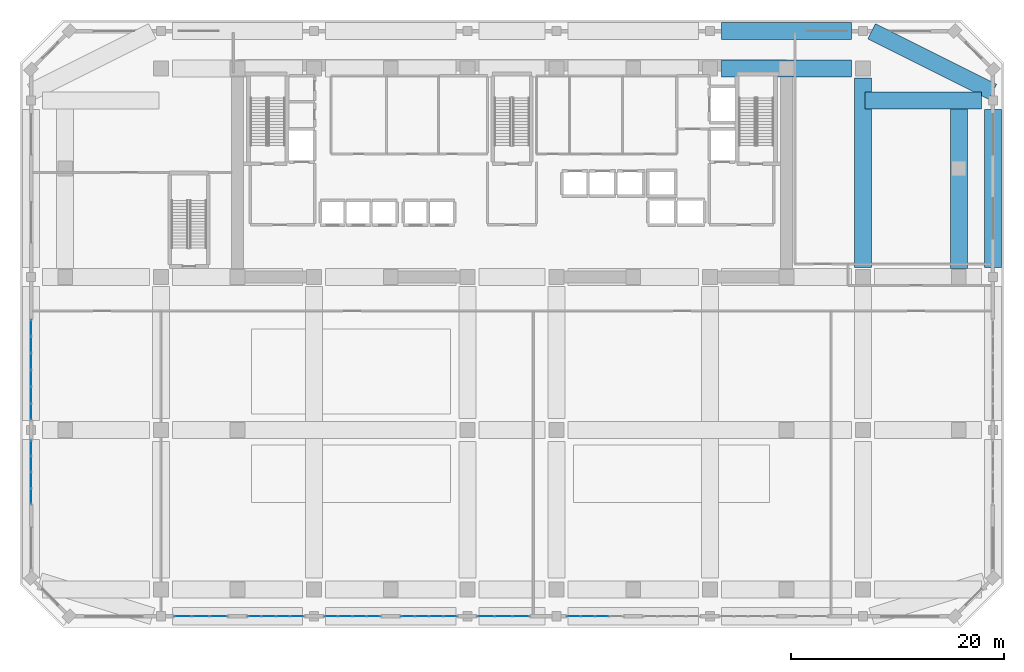
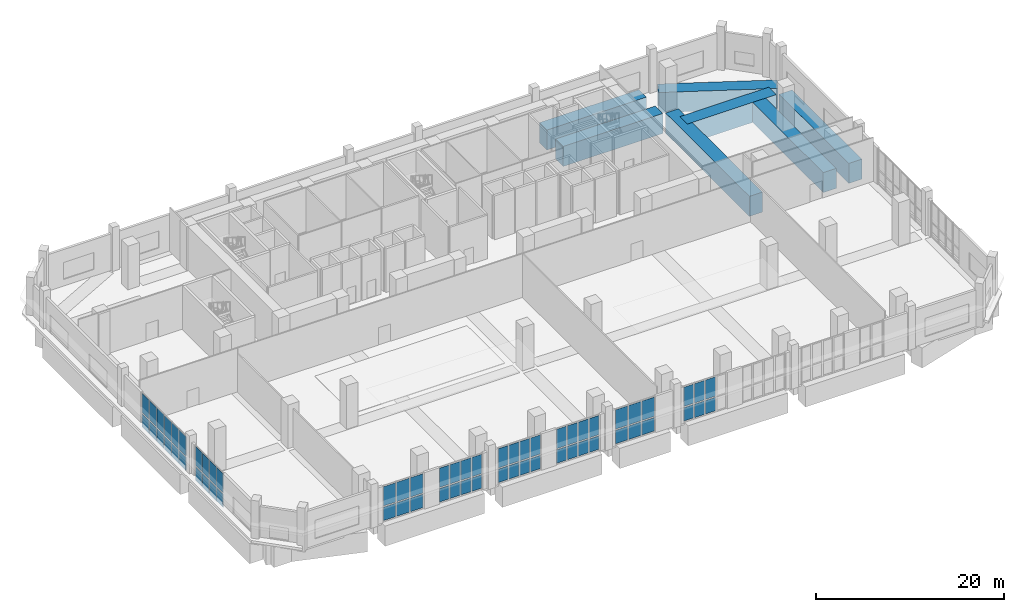
# One storey, part 15 of 25: 62 plates, 7 beams, 8 elements without a shape of their own.
"""IFC4 building model written with IfcOpenShell, lengths in metres."""

from ifc_helpers import new_model, si_unit, direction, frame, origin, origin_2d, place, context, subcontext, project, spatial, rectangle, extrude, material, layer, layer_set, material_profile, profile_set, type_object, element, aggregate, save


model = new_model("IFC4")

# Units and contexts
model_context = context("Model", 3, precision=1e-05, world=origin(), true_north=direction((0.0, 1.0)))
body_context = subcontext(model_context, "Body", "Model", "MODEL_VIEW")
ifc_project = project(units=[si_unit("LENGTHUNIT", "METRE"), si_unit("AREAUNIT", "SQUARE_METRE"), si_unit("VOLUMEUNIT", "CUBIC_METRE"), si_unit("PLANEANGLEUNIT", "RADIAN"), si_unit("MASSUNIT", "GRAM", prefix="KILO")], contexts=[model_context])

# Site, building, storey
site_placement = place(None, origin())
site = spatial("IfcSite", under=ifc_project, at=site_placement, CompositionType="ELEMENT")
building_placement = place(site_placement, origin())
building = spatial("IfcBuilding", under=site, at=building_placement, Name="Kaelvorn Grand Hotel", CompositionType="ELEMENT")
storey_placement = place(building_placement, frame((0.0, 0.0, 8.0)))
storey = spatial("IfcBuildingStorey", under=building, at=storey_placement, Name="L01", CompositionType="ELEMENT", Elevation=8.0)

# Beams
ifc_material_1 = material(Name="Concrete C80/95", Category="concrete")
ifc_material_profile = material_profile(ifc_material_1, rectangle(XDim=1.60009765625, YDim=2.60009765625, at=origin_2d()), Name="RC TG 1600x2600")
ifc_profile_set = profile_set([ifc_material_profile], Name="Concrete C80/95")
beam_type = type_object("IfcBeamType", Name="BM-TG-1600x2600-C80", PredefinedType="USERDEFINED", material=ifc_profile_set)
beam_1_placement = place(storey_placement, frame((75.18505859375, 46.0, -1.300048828125), z_axis=(1.0, 0.0, 0.0), x_axis=(0.0, 1.0, 0.0)))
element("IfcBeam", 1, at=beam_1_placement, inside=storey, type_object=beam_type, Name="L01 Pilotis Transfer Girder TGX-N46E 01", ObjectType="TRANSFER GIRDER", PredefinedType="USERDEFINED", context=body_context, shape_type="SweptSolid", body=[
    extrude(rectangle(XDim=1.60009765625, YDim=2.60009765625, at=origin_2d()), origin(), (0.0, 0.0, 1.0), 10.929931640625),
])
for number, where, z_axis, x_axis, name in (
    (2, (61.68505859375, 49.0, -1.300048828125), (1.0, 0.0, 0.0), (0.0, 1.0, 0.0), "L01 Pilotis Transfer Girder TGX-N49 05"),
    (3, (61.68505859375, 52.5, -1.300048828125), (1.0, 0.0, 0.0), (0.0, 1.0, 0.0), "L01 Pilotis Transfer Girder TGX-N52 05"),
):
    element("IfcBeam", number, at=place(storey_placement, frame(where, z_axis=z_axis, x_axis=x_axis)), inside=storey, type_object=beam_type, Name=name, ObjectType="TRANSFER GIRDER", PredefinedType="USERDEFINED", context=body_context, shape_type="SweptSolid", body=[
        extrude(rectangle(XDim=1.60009765625, YDim=2.60009765625, at=origin_2d()), origin(), (0.0, 0.0, 1.0), 12.22998046875),
    ])
beam_2_placement = place(storey_placement, frame((75.0, 30.284912109375, -1.300048828125), z_axis=(0.0, 1.0, 0.0), x_axis=(-1.0, 0.0, 0.0)))
element("IfcBeam", 4, at=beam_2_placement, inside=storey, type_object=beam_type, Name="L01 Pilotis Transfer Girder TGY-X75 03", ObjectType="TRANSFER GIRDER", PredefinedType="USERDEFINED", context=body_context, shape_type="SweptSolid", body=[
    extrude(rectangle(XDim=1.60009765625, YDim=2.60009765625, at=origin_2d()), origin(), (0.0, 0.0, 1.0), 17.830078125),
])
beam_3_placement = place(storey_placement, frame((87.199951171875, 30.284912109375, -1.300048828125), z_axis=(0.0, 1.0, 0.0), x_axis=(-1.0, 0.0, 0.0)))
element("IfcBeam", 5, at=beam_3_placement, inside=storey, type_object=beam_type, Name="L01 Pilotis Transfer Girder TGY-E87 03", ObjectType="TRANSFER GIRDER", PredefinedType="USERDEFINED", context=body_context, shape_type="SweptSolid", body=[
    extrude(rectangle(XDim=1.60009765625, YDim=2.60009765625, at=origin_2d()), origin(), (0.0, 0.0, 1.0), 14.830078125),
])
beam_4_placement = place(storey_placement, frame((84.0, 30.179931640625, -1.300048828125), z_axis=(0.0, 1.0, 0.0), x_axis=(-1.0, 0.0, 0.0)))
element("IfcBeam", 6, at=beam_4_placement, inside=storey, type_object=beam_type, Name="L01 Wing Transfer Girder TE39", ObjectType="TRANSFER GIRDER", PredefinedType="USERDEFINED", context=body_context, shape_type="SweptSolid", body=[
    extrude(rectangle(XDim=1.60009765625, YDim=2.60009765625, at=origin_2d()), origin(), (0.0, 0.0, 1.0), 15.0400390625),
])
beam_5_placement = place(storey_placement, frame((87.199951171875, 46.800048828125, -1.300048828125), z_axis=(-0.894427191, 0.4472135955, 0.0), x_axis=(-0.4472135955, -0.894427191, 0.0)))
element("IfcBeam", 7, at=beam_5_placement, inside=storey, type_object=beam_type, Name="L01 Chamfer Corner Transfer Girder 3", ObjectType="TRANSFER GIRDER", PredefinedType="USERDEFINED", context=body_context, shape_type="SweptSolid", body=[
    extrude(rectangle(XDim=1.60009765625, YDim=2.60009765625, at=origin_2d()), origin(), (0.0, 0.0, 1.0), 12.745361328125),
])

# Curtain wall, plates
ifc_material_2 = material(Name="Anodised Aluminium", Category="aluminium")
ifc_layer_1 = layer(ifc_material_2, 0.239990234375)
ifc_layer_set_1 = layer_set([ifc_layer_1], Name="Anodised Aluminium")
curtain_wall_type = type_object("IfcCurtainWallType", Name="CW-SYS1", PredefinedType="NOTDEFINED", material=ifc_layer_set_1)
curtain_wall_1_placement = place(storey_placement, origin())
curtain_wall_1 = element("IfcCurtainWall", 8, at=curtain_wall_1_placement, inside=storey, type_object=curtain_wall_type, Name="L01 Unitised Curtain Wall CW1 (CW-L01-S-01)", PredefinedType="NOTDEFINED")
ifc_material_3 = material(Name="Laminated Low-E Glass", Category="glass")
ifc_layer_2 = layer(ifc_material_3, 0.035888671875)
ifc_layer_set_2 = layer_set([ifc_layer_2], Name="Laminated Low-E Glass")
plate_type = type_object("IfcPlateType", Name="CW-SYS1-PAN", PredefinedType="CURTAIN_PANEL", material=ifc_layer_set_2)
plate_1_placement = place(storey_placement, frame((11.066650390625, -2.5, 0.1650390625), z_axis=(0.0, 0.0, 1.0), x_axis=(1.0, 0.0, 0.0)))
plate_1 = element("IfcPlate", 9, at=plate_1_placement, type_object=plate_type, Name="CW1 panel 1.1", PredefinedType="CURTAIN_PANEL", context=body_context, shape_type="SweptSolid", body=[
    extrude(rectangle(XDim=1.5732421875, YDim=0.035888671875, at=origin_2d()), origin(), (0.0, 0.0, 1.0), 1.739013671875),
])
plate_2_placement = place(storey_placement, frame((11.066650390625, -2.5, 2.0693359375), z_axis=(0.0, 0.0, 1.0), x_axis=(1.0, 0.0, 0.0)))
plate_2 = element("IfcPlate", 10, at=plate_2_placement, type_object=plate_type, Name="CW1 panel 1.2", PredefinedType="CURTAIN_PANEL", context=body_context, shape_type="SweptSolid", body=[
    extrude(rectangle(XDim=1.5732421875, YDim=0.035888671875, at=origin_2d()), origin(), (0.0, 0.0, 1.0), 2.495849609375),
])
plate_3_placement = place(storey_placement, frame((12.739990234375, -2.5, 0.1650390625), z_axis=(0.0, 0.0, 1.0), x_axis=(1.0, 0.0, 0.0)))
plate_3 = element("IfcPlate", 11, at=plate_3_placement, type_object=plate_type, Name="CW1 panel 2.1", PredefinedType="CURTAIN_PANEL", context=body_context, shape_type="SweptSolid", body=[
    extrude(rectangle(XDim=1.61328125, YDim=0.035888671875, at=origin_2d()), origin(), (0.0, 0.0, 1.0), 1.739013671875),
])
plate_4_placement = place(storey_placement, frame((12.739990234375, -2.5, 2.0693359375), z_axis=(0.0, 0.0, 1.0), x_axis=(1.0, 0.0, 0.0)))
plate_4 = element("IfcPlate", 12, at=plate_4_placement, type_object=plate_type, Name="CW1 panel 2.2", PredefinedType="CURTAIN_PANEL", context=body_context, shape_type="SweptSolid", body=[
    extrude(rectangle(XDim=1.61328125, YDim=0.035888671875, at=origin_2d()), origin(), (0.0, 0.0, 1.0), 2.495849609375),
])
plate_5_placement = place(storey_placement, frame((14.413330078125, -2.5, 0.1650390625), z_axis=(0.0, 0.0, 1.0), x_axis=(1.0, 0.0, 0.0)))
plate_5 = element("IfcPlate", 13, at=plate_5_placement, type_object=plate_type, Name="CW1 panel 3.1", PredefinedType="CURTAIN_PANEL", context=body_context, shape_type="SweptSolid", body=[
    extrude(rectangle(XDim=1.5732421875, YDim=0.035888671875, at=origin_2d()), origin(), (0.0, 0.0, 1.0), 1.739013671875),
])
plate_6_placement = place(storey_placement, frame((14.413330078125, -2.5, 2.0693359375), z_axis=(0.0, 0.0, 1.0), x_axis=(1.0, 0.0, 0.0)))
plate_6 = element("IfcPlate", 14, at=plate_6_placement, type_object=plate_type, Name="CW1 panel 3.2", PredefinedType="CURTAIN_PANEL", context=body_context, shape_type="SweptSolid", body=[
    extrude(rectangle(XDim=1.5732421875, YDim=0.035888671875, at=origin_2d()), origin(), (0.0, 0.0, 1.0), 2.495849609375),
])
aggregate(curtain_wall_1, [plate_1, plate_2, plate_3, plate_4, plate_5, plate_6])

curtain_wall_2_placement = place(storey_placement, origin())
curtain_wall_2 = element("IfcCurtainWall", 15, at=curtain_wall_2_placement, inside=storey, type_object=curtain_wall_type, Name="L01 Unitised Curtain Wall CW1 (CW-L01-S-02)", PredefinedType="NOTDEFINED")
plate_7_placement = place(storey_placement, frame((17.81005859375, -2.5, 0.1650390625), z_axis=(0.0, 0.0, 1.0), x_axis=(1.0, 0.0, 0.0)))
plate_7 = element("IfcPlate", 16, at=plate_7_placement, type_object=plate_type, Name="CW1 panel 1.1", PredefinedType="CURTAIN_PANEL", context=body_context, shape_type="SweptSolid", body=[
    extrude(rectangle(XDim=1.219970703125, YDim=0.035888671875, at=origin_2d()), origin(), (0.0, 0.0, 1.0), 1.739013671875),
])
plate_8_placement = place(storey_placement, frame((17.81005859375, -2.5, 2.0693359375), z_axis=(0.0, 0.0, 1.0), x_axis=(1.0, 0.0, 0.0)))
plate_8 = element("IfcPlate", 17, at=plate_8_placement, type_object=plate_type, Name="CW1 panel 1.2", PredefinedType="CURTAIN_PANEL", context=body_context, shape_type="SweptSolid", body=[
    extrude(rectangle(XDim=1.219970703125, YDim=0.035888671875, at=origin_2d()), origin(), (0.0, 0.0, 1.0), 2.495849609375),
])
plate_9_placement = place(storey_placement, frame((19.1298828125, -2.5, 0.1650390625), z_axis=(0.0, 0.0, 1.0), x_axis=(1.0, 0.0, 0.0)))
plate_9 = element("IfcPlate", 18, at=plate_9_placement, type_object=plate_type, Name="CW1 panel 2.1", PredefinedType="CURTAIN_PANEL", context=body_context, shape_type="SweptSolid", body=[
    extrude(rectangle(XDim=1.260009765625, YDim=0.035888671875, at=origin_2d()), origin(), (0.0, 0.0, 1.0), 1.739013671875),
])
plate_10_placement = place(storey_placement, frame((19.1298828125, -2.5, 2.0693359375), z_axis=(0.0, 0.0, 1.0), x_axis=(1.0, 0.0, 0.0)))
plate_10 = element("IfcPlate", 19, at=plate_10_placement, type_object=plate_type, Name="CW1 panel 2.2", PredefinedType="CURTAIN_PANEL", context=body_context, shape_type="SweptSolid", body=[
    extrude(rectangle(XDim=1.260009765625, YDim=0.035888671875, at=origin_2d()), origin(), (0.0, 0.0, 1.0), 2.495849609375),
])
plate_11_placement = place(storey_placement, frame((20.469970703125, -2.5, 0.1650390625), z_axis=(0.0, 0.0, 1.0), x_axis=(1.0, 0.0, 0.0)))
plate_11 = element("IfcPlate", 20, at=plate_11_placement, type_object=plate_type, Name="CW1 panel 3.1", PredefinedType="CURTAIN_PANEL", context=body_context, shape_type="SweptSolid", body=[
    extrude(rectangle(XDim=1.260009765625, YDim=0.035888671875, at=origin_2d()), origin(), (0.0, 0.0, 1.0), 1.739013671875),
])
plate_12_placement = place(storey_placement, frame((20.469970703125, -2.5, 2.0693359375), z_axis=(0.0, 0.0, 1.0), x_axis=(1.0, 0.0, 0.0)))
plate_12 = element("IfcPlate", 21, at=plate_12_placement, type_object=plate_type, Name="CW1 panel 3.2", PredefinedType="CURTAIN_PANEL", context=body_context, shape_type="SweptSolid", body=[
    extrude(rectangle(XDim=1.260009765625, YDim=0.035888671875, at=origin_2d()), origin(), (0.0, 0.0, 1.0), 2.495849609375),
])
plate_13_placement = place(storey_placement, frame((21.7900390625, -2.5, 0.1650390625), z_axis=(0.0, 0.0, 1.0), x_axis=(1.0, 0.0, 0.0)))
plate_13 = element("IfcPlate", 22, at=plate_13_placement, type_object=plate_type, Name="CW1 panel 4.1", PredefinedType="CURTAIN_PANEL", context=body_context, shape_type="SweptSolid", body=[
    extrude(rectangle(XDim=1.219970703125, YDim=0.035888671875, at=origin_2d()), origin(), (0.0, 0.0, 1.0), 1.739013671875),
])
plate_14_placement = place(storey_placement, frame((21.7900390625, -2.5, 2.0693359375), z_axis=(0.0, 0.0, 1.0), x_axis=(1.0, 0.0, 0.0)))
plate_14 = element("IfcPlate", 23, at=plate_14_placement, type_object=plate_type, Name="CW1 panel 4.2", PredefinedType="CURTAIN_PANEL", context=body_context, shape_type="SweptSolid", body=[
    extrude(rectangle(XDim=1.219970703125, YDim=0.035888671875, at=origin_2d()), origin(), (0.0, 0.0, 1.0), 2.495849609375),
])
aggregate(curtain_wall_2, [plate_7, plate_8, plate_9, plate_10, plate_11, plate_12, plate_13, plate_14])

curtain_wall_3_placement = place(storey_placement, origin())
curtain_wall_3 = element("IfcCurtainWall", 24, at=curtain_wall_3_placement, inside=storey, type_object=curtain_wall_type, Name="L01 Unitised Curtain Wall CW1 (CW-L01-S-03)", PredefinedType="NOTDEFINED")
plate_15_placement = place(storey_placement, frame((25.010009765625, -2.5, 0.1650390625), z_axis=(0.0, 0.0, 1.0), x_axis=(1.0, 0.0, 0.0)))
plate_15 = element("IfcPlate", 25, at=plate_15_placement, type_object=plate_type, Name="CW1 panel 1.1", PredefinedType="CURTAIN_PANEL", context=body_context, shape_type="SweptSolid", body=[
    extrude(rectangle(XDim=1.219970703125, YDim=0.035888671875, at=origin_2d()), origin(), (0.0, 0.0, 1.0), 1.739013671875),
])
plate_16_placement = place(storey_placement, frame((25.010009765625, -2.5, 2.0693359375), z_axis=(0.0, 0.0, 1.0), x_axis=(1.0, 0.0, 0.0)))
plate_16 = element("IfcPlate", 26, at=plate_16_placement, type_object=plate_type, Name="CW1 panel 1.2", PredefinedType="CURTAIN_PANEL", context=body_context, shape_type="SweptSolid", body=[
    extrude(rectangle(XDim=1.219970703125, YDim=0.035888671875, at=origin_2d()), origin(), (0.0, 0.0, 1.0), 2.495849609375),
])
plate_17_placement = place(storey_placement, frame((26.330078125, -2.5, 0.1650390625), z_axis=(0.0, 0.0, 1.0), x_axis=(1.0, 0.0, 0.0)))
plate_17 = element("IfcPlate", 27, at=plate_17_placement, type_object=plate_type, Name="CW1 panel 2.1", PredefinedType="CURTAIN_PANEL", context=body_context, shape_type="SweptSolid", body=[
    extrude(rectangle(XDim=1.260009765625, YDim=0.035888671875, at=origin_2d()), origin(), (0.0, 0.0, 1.0), 1.739013671875),
])
plate_18_placement = place(storey_placement, frame((26.330078125, -2.5, 2.0693359375), z_axis=(0.0, 0.0, 1.0), x_axis=(1.0, 0.0, 0.0)))
plate_18 = element("IfcPlate", 28, at=plate_18_placement, type_object=plate_type, Name="CW1 panel 2.2", PredefinedType="CURTAIN_PANEL", context=body_context, shape_type="SweptSolid", body=[
    extrude(rectangle(XDim=1.260009765625, YDim=0.035888671875, at=origin_2d()), origin(), (0.0, 0.0, 1.0), 2.495849609375),
])
plate_19_placement = place(storey_placement, frame((27.669921875, -2.5, 0.1650390625), z_axis=(0.0, 0.0, 1.0), x_axis=(1.0, 0.0, 0.0)))
plate_19 = element("IfcPlate", 29, at=plate_19_placement, type_object=plate_type, Name="CW1 panel 3.1", PredefinedType="CURTAIN_PANEL", context=body_context, shape_type="SweptSolid", body=[
    extrude(rectangle(XDim=1.260009765625, YDim=0.035888671875, at=origin_2d()), origin(), (0.0, 0.0, 1.0), 1.739013671875),
])
plate_20_placement = place(storey_placement, frame((27.669921875, -2.5, 2.0693359375), z_axis=(0.0, 0.0, 1.0), x_axis=(1.0, 0.0, 0.0)))
plate_20 = element("IfcPlate", 30, at=plate_20_placement, type_object=plate_type, Name="CW1 panel 3.2", PredefinedType="CURTAIN_PANEL", context=body_context, shape_type="SweptSolid", body=[
    extrude(rectangle(XDim=1.260009765625, YDim=0.035888671875, at=origin_2d()), origin(), (0.0, 0.0, 1.0), 2.495849609375),
])
plate_21_placement = place(storey_placement, frame((28.989990234375, -2.5, 0.1650390625), z_axis=(0.0, 0.0, 1.0), x_axis=(1.0, 0.0, 0.0)))
plate_21 = element("IfcPlate", 31, at=plate_21_placement, type_object=plate_type, Name="CW1 panel 4.1", PredefinedType="CURTAIN_PANEL", context=body_context, shape_type="SweptSolid", body=[
    extrude(rectangle(XDim=1.219970703125, YDim=0.035888671875, at=origin_2d()), origin(), (0.0, 0.0, 1.0), 1.739013671875),
])
plate_22_placement = place(storey_placement, frame((28.989990234375, -2.5, 2.0693359375), z_axis=(0.0, 0.0, 1.0), x_axis=(1.0, 0.0, 0.0)))
plate_22 = element("IfcPlate", 32, at=plate_22_placement, type_object=plate_type, Name="CW1 panel 4.2", PredefinedType="CURTAIN_PANEL", context=body_context, shape_type="SweptSolid", body=[
    extrude(rectangle(XDim=1.219970703125, YDim=0.035888671875, at=origin_2d()), origin(), (0.0, 0.0, 1.0), 2.495849609375),
])
aggregate(curtain_wall_3, [plate_15, plate_16, plate_17, plate_18, plate_19, plate_20, plate_21, plate_22])

curtain_wall_4_placement = place(storey_placement, origin())
curtain_wall_4 = element("IfcCurtainWall", 33, at=curtain_wall_4_placement, inside=storey, type_object=curtain_wall_type, Name="L01 Unitised Curtain Wall CW1 (CW-L01-S-04)", PredefinedType="NOTDEFINED")
plate_23_placement = place(storey_placement, frame((32.2099609375, -2.5, 0.1650390625), z_axis=(0.0, 0.0, 1.0), x_axis=(1.0, 0.0, 0.0)))
plate_23 = element("IfcPlate", 34, at=plate_23_placement, type_object=plate_type, Name="CW1 panel 1.1", PredefinedType="CURTAIN_PANEL", context=body_context, shape_type="SweptSolid", body=[
    extrude(rectangle(XDim=1.219970703125, YDim=0.035888671875, at=origin_2d()), origin(), (0.0, 0.0, 1.0), 1.739013671875),
])
plate_24_placement = place(storey_placement, frame((32.2099609375, -2.5, 2.0693359375), z_axis=(0.0, 0.0, 1.0), x_axis=(1.0, 0.0, 0.0)))
plate_24 = element("IfcPlate", 35, at=plate_24_placement, type_object=plate_type, Name="CW1 panel 1.2", PredefinedType="CURTAIN_PANEL", context=body_context, shape_type="SweptSolid", body=[
    extrude(rectangle(XDim=1.219970703125, YDim=0.035888671875, at=origin_2d()), origin(), (0.0, 0.0, 1.0), 2.495849609375),
])
plate_25_placement = place(storey_placement, frame((33.530029296875, -2.5, 0.1650390625), z_axis=(0.0, 0.0, 1.0), x_axis=(1.0, 0.0, 0.0)))
plate_25 = element("IfcPlate", 36, at=plate_25_placement, type_object=plate_type, Name="CW1 panel 2.1", PredefinedType="CURTAIN_PANEL", context=body_context, shape_type="SweptSolid", body=[
    extrude(rectangle(XDim=1.260009765625, YDim=0.035888671875, at=origin_2d()), origin(), (0.0, 0.0, 1.0), 1.739013671875),
])
plate_26_placement = place(storey_placement, frame((33.530029296875, -2.5, 2.0693359375), z_axis=(0.0, 0.0, 1.0), x_axis=(1.0, 0.0, 0.0)))
plate_26 = element("IfcPlate", 37, at=plate_26_placement, type_object=plate_type, Name="CW1 panel 2.2", PredefinedType="CURTAIN_PANEL", context=body_context, shape_type="SweptSolid", body=[
    extrude(rectangle(XDim=1.260009765625, YDim=0.035888671875, at=origin_2d()), origin(), (0.0, 0.0, 1.0), 2.495849609375),
])
plate_27_placement = place(storey_placement, frame((34.8701171875, -2.5, 0.1650390625), z_axis=(0.0, 0.0, 1.0), x_axis=(1.0, 0.0, 0.0)))
plate_27 = element("IfcPlate", 38, at=plate_27_placement, type_object=plate_type, Name="CW1 panel 3.1", PredefinedType="CURTAIN_PANEL", context=body_context, shape_type="SweptSolid", body=[
    extrude(rectangle(XDim=1.260009765625, YDim=0.035888671875, at=origin_2d()), origin(), (0.0, 0.0, 1.0), 1.739013671875),
])
plate_28_placement = place(storey_placement, frame((34.8701171875, -2.5, 2.0693359375), z_axis=(0.0, 0.0, 1.0), x_axis=(1.0, 0.0, 0.0)))
plate_28 = element("IfcPlate", 39, at=plate_28_placement, type_object=plate_type, Name="CW1 panel 3.2", PredefinedType="CURTAIN_PANEL", context=body_context, shape_type="SweptSolid", body=[
    extrude(rectangle(XDim=1.260009765625, YDim=0.035888671875, at=origin_2d()), origin(), (0.0, 0.0, 1.0), 2.495849609375),
])
plate_29_placement = place(storey_placement, frame((36.18994140625, -2.5, 0.1650390625), z_axis=(0.0, 0.0, 1.0), x_axis=(1.0, 0.0, 0.0)))
plate_29 = element("IfcPlate", 40, at=plate_29_placement, type_object=plate_type, Name="CW1 panel 4.1", PredefinedType="CURTAIN_PANEL", context=body_context, shape_type="SweptSolid", body=[
    extrude(rectangle(XDim=1.219970703125, YDim=0.035888671875, at=origin_2d()), origin(), (0.0, 0.0, 1.0), 1.739013671875),
])
plate_30_placement = place(storey_placement, frame((36.18994140625, -2.5, 2.0693359375), z_axis=(0.0, 0.0, 1.0), x_axis=(1.0, 0.0, 0.0)))
plate_30 = element("IfcPlate", 41, at=plate_30_placement, type_object=plate_type, Name="CW1 panel 4.2", PredefinedType="CURTAIN_PANEL", context=body_context, shape_type="SweptSolid", body=[
    extrude(rectangle(XDim=1.219970703125, YDim=0.035888671875, at=origin_2d()), origin(), (0.0, 0.0, 1.0), 2.495849609375),
])
aggregate(curtain_wall_4, [plate_23, plate_24, plate_25, plate_26, plate_27, plate_28, plate_29, plate_30])

curtain_wall_5_placement = place(storey_placement, origin())
curtain_wall_5 = element("IfcCurtainWall", 42, at=curtain_wall_5_placement, inside=storey, type_object=curtain_wall_type, Name="L01 Unitised Curtain Wall CW1 (CW-L01-S-05)", PredefinedType="NOTDEFINED")
plate_31_placement = place(storey_placement, frame((39.566650390625, -2.5, 0.1650390625), z_axis=(0.0, 0.0, 1.0), x_axis=(1.0, 0.0, 0.0)))
plate_31 = element("IfcPlate", 43, at=plate_31_placement, type_object=plate_type, Name="CW1 panel 1.1", PredefinedType="CURTAIN_PANEL", context=body_context, shape_type="SweptSolid", body=[
    extrude(rectangle(XDim=1.533447265625, YDim=0.035888671875, at=origin_2d()), origin(), (0.0, 0.0, 1.0), 1.739013671875),
])
plate_32_placement = place(storey_placement, frame((39.566650390625, -2.5, 2.0693359375), z_axis=(0.0, 0.0, 1.0), x_axis=(1.0, 0.0, 0.0)))
plate_32 = element("IfcPlate", 44, at=plate_32_placement, type_object=plate_type, Name="CW1 panel 1.2", PredefinedType="CURTAIN_PANEL", context=body_context, shape_type="SweptSolid", body=[
    extrude(rectangle(XDim=1.533447265625, YDim=0.035888671875, at=origin_2d()), origin(), (0.0, 0.0, 1.0), 2.495849609375),
])
plate_33_placement = place(storey_placement, frame((41.199951171875, -2.5, 0.1650390625), z_axis=(0.0, 0.0, 1.0), x_axis=(1.0, 0.0, 0.0)))
plate_33 = element("IfcPlate", 45, at=plate_33_placement, type_object=plate_type, Name="CW1 panel 2.1", PredefinedType="CURTAIN_PANEL", context=body_context, shape_type="SweptSolid", body=[
    extrude(rectangle(XDim=1.5732421875, YDim=0.035888671875, at=origin_2d()), origin(), (0.0, 0.0, 1.0), 1.739013671875),
])
plate_34_placement = place(storey_placement, frame((41.199951171875, -2.5, 2.0693359375), z_axis=(0.0, 0.0, 1.0), x_axis=(1.0, 0.0, 0.0)))
plate_34 = element("IfcPlate", 46, at=plate_34_placement, type_object=plate_type, Name="CW1 panel 2.2", PredefinedType="CURTAIN_PANEL", context=body_context, shape_type="SweptSolid", body=[
    extrude(rectangle(XDim=1.5732421875, YDim=0.035888671875, at=origin_2d()), origin(), (0.0, 0.0, 1.0), 2.495849609375),
])
plate_35_placement = place(storey_placement, frame((42.833251953125, -2.5, 0.1650390625), z_axis=(0.0, 0.0, 1.0), x_axis=(1.0, 0.0, 0.0)))
plate_35 = element("IfcPlate", 47, at=plate_35_placement, type_object=plate_type, Name="CW1 panel 3.1", PredefinedType="CURTAIN_PANEL", context=body_context, shape_type="SweptSolid", body=[
    extrude(rectangle(XDim=1.533447265625, YDim=0.035888671875, at=origin_2d()), origin(), (0.0, 0.0, 1.0), 1.739013671875),
])
plate_36_placement = place(storey_placement, frame((42.833251953125, -2.5, 2.0693359375), z_axis=(0.0, 0.0, 1.0), x_axis=(1.0, 0.0, 0.0)))
plate_36 = element("IfcPlate", 48, at=plate_36_placement, type_object=plate_type, Name="CW1 panel 3.2", PredefinedType="CURTAIN_PANEL", context=body_context, shape_type="SweptSolid", body=[
    extrude(rectangle(XDim=1.533447265625, YDim=0.035888671875, at=origin_2d()), origin(), (0.0, 0.0, 1.0), 2.495849609375),
])
aggregate(curtain_wall_5, [plate_31, plate_32, plate_33, plate_34, plate_35, plate_36])

curtain_wall_6_placement = place(storey_placement, origin())
curtain_wall_6 = element("IfcCurtainWall", 49, at=curtain_wall_6_placement, inside=storey, type_object=curtain_wall_type, Name="L01 Unitised Curtain Wall CW1 (CW-L01-S-06)", PredefinedType="NOTDEFINED")
plate_37_placement = place(storey_placement, frame((47.81005859375, -2.5, 0.1650390625), z_axis=(0.0, 0.0, 1.0), x_axis=(1.0, 0.0, 0.0)))
plate_37 = element("IfcPlate", 50, at=plate_37_placement, type_object=plate_type, Name="CW1 panel 1.1", PredefinedType="CURTAIN_PANEL", context=body_context, shape_type="SweptSolid", body=[
    extrude(rectangle(XDim=1.219970703125, YDim=0.035888671875, at=origin_2d()), origin(), (0.0, 0.0, 1.0), 1.739013671875),
])
plate_38_placement = place(storey_placement, frame((47.81005859375, -2.5, 2.0693359375), z_axis=(0.0, 0.0, 1.0), x_axis=(1.0, 0.0, 0.0)))
plate_38 = element("IfcPlate", 51, at=plate_38_placement, type_object=plate_type, Name="CW1 panel 1.2", PredefinedType="CURTAIN_PANEL", context=body_context, shape_type="SweptSolid", body=[
    extrude(rectangle(XDim=1.219970703125, YDim=0.035888671875, at=origin_2d()), origin(), (0.0, 0.0, 1.0), 2.495849609375),
])
plate_39_placement = place(storey_placement, frame((49.1298828125, -2.5, 0.1650390625), z_axis=(0.0, 0.0, 1.0), x_axis=(1.0, 0.0, 0.0)))
plate_39 = element("IfcPlate", 52, at=plate_39_placement, type_object=plate_type, Name="CW1 panel 2.1", PredefinedType="CURTAIN_PANEL", context=body_context, shape_type="SweptSolid", body=[
    extrude(rectangle(XDim=1.260009765625, YDim=0.035888671875, at=origin_2d()), origin(), (0.0, 0.0, 1.0), 1.739013671875),
])
plate_40_placement = place(storey_placement, frame((49.1298828125, -2.5, 2.0693359375), z_axis=(0.0, 0.0, 1.0), x_axis=(1.0, 0.0, 0.0)))
plate_40 = element("IfcPlate", 53, at=plate_40_placement, type_object=plate_type, Name="CW1 panel 2.2", PredefinedType="CURTAIN_PANEL", context=body_context, shape_type="SweptSolid", body=[
    extrude(rectangle(XDim=1.260009765625, YDim=0.035888671875, at=origin_2d()), origin(), (0.0, 0.0, 1.0), 2.495849609375),
])
plate_41_placement = place(storey_placement, frame((50.469970703125, -2.5, 0.1650390625), z_axis=(0.0, 0.0, 1.0), x_axis=(1.0, 0.0, 0.0)))
plate_41 = element("IfcPlate", 54, at=plate_41_placement, type_object=plate_type, Name="CW1 panel 3.1", PredefinedType="CURTAIN_PANEL", context=body_context, shape_type="SweptSolid", body=[
    extrude(rectangle(XDim=1.260009765625, YDim=0.035888671875, at=origin_2d()), origin(), (0.0, 0.0, 1.0), 1.739013671875),
])
plate_42_placement = place(storey_placement, frame((50.469970703125, -2.5, 2.0693359375), z_axis=(0.0, 0.0, 1.0), x_axis=(1.0, 0.0, 0.0)))
plate_42 = element("IfcPlate", 55, at=plate_42_placement, type_object=plate_type, Name="CW1 panel 3.2", PredefinedType="CURTAIN_PANEL", context=body_context, shape_type="SweptSolid", body=[
    extrude(rectangle(XDim=1.260009765625, YDim=0.035888671875, at=origin_2d()), origin(), (0.0, 0.0, 1.0), 2.495849609375),
])
aggregate(curtain_wall_6, [plate_37, plate_38, plate_39, plate_40, plate_41, plate_42])

curtain_wall_7_placement = place(storey_placement, origin())
curtain_wall_7 = element("IfcCurtainWall", 56, at=curtain_wall_7_placement, inside=storey, type_object=curtain_wall_type, Name="L01 Unitised Curtain Wall CW1 (CW-L01-W-02)", PredefinedType="NOTDEFINED")
plate_43_placement = place(storey_placement, frame((-3.199951171875, 24.590087890625, 0.1650390625), z_axis=(0.0, 0.0, 1.0), x_axis=(0.0, -1.0, 0.0)))
plate_43 = element("IfcPlate", 57, at=plate_43_placement, type_object=plate_type, Name="CW1 panel 1.1", PredefinedType="CURTAIN_PANEL", context=body_context, shape_type="SweptSolid", body=[
    extrude(rectangle(XDim=1.4599609375, YDim=0.035888671875, at=origin_2d()), origin(), (0.0, 0.0, 1.0), 1.739013671875),
])
plate_44_placement = place(storey_placement, frame((-3.199951171875, 24.590087890625, 2.0693359375), z_axis=(0.0, 0.0, 1.0), x_axis=(0.0, -1.0, 0.0)))
plate_44 = element("IfcPlate", 58, at=plate_44_placement, type_object=plate_type, Name="CW1 panel 1.2", PredefinedType="CURTAIN_PANEL", context=body_context, shape_type="SweptSolid", body=[
    extrude(rectangle(XDim=1.4599609375, YDim=0.035888671875, at=origin_2d()), origin(), (0.0, 0.0, 1.0), 2.495849609375),
])
plate_45_placement = place(storey_placement, frame((-3.199951171875, 23.030029296875, 0.1650390625), z_axis=(0.0, 0.0, 1.0), x_axis=(0.0, -1.0, 0.0)))
plate_45 = element("IfcPlate", 59, at=plate_45_placement, type_object=plate_type, Name="CW1 panel 2.1", PredefinedType="CURTAIN_PANEL", context=body_context, shape_type="SweptSolid", body=[
    extrude(rectangle(XDim=1.5, YDim=0.035888671875, at=origin_2d()), origin(), (0.0, 0.0, 1.0), 1.739013671875),
])
plate_46_placement = place(storey_placement, frame((-3.199951171875, 23.030029296875, 2.0693359375), z_axis=(0.0, 0.0, 1.0), x_axis=(0.0, -1.0, 0.0)))
plate_46 = element("IfcPlate", 60, at=plate_46_placement, type_object=plate_type, Name="CW1 panel 2.2", PredefinedType="CURTAIN_PANEL", context=body_context, shape_type="SweptSolid", body=[
    extrude(rectangle(XDim=1.5, YDim=0.035888671875, at=origin_2d()), origin(), (0.0, 0.0, 1.0), 2.495849609375),
])
plate_47_placement = place(storey_placement, frame((-3.199951171875, 21.449951171875, 0.1650390625), z_axis=(0.0, 0.0, 1.0), x_axis=(0.0, -1.0, 0.0)))
plate_47 = element("IfcPlate", 61, at=plate_47_placement, type_object=plate_type, Name="CW1 panel 3.1", PredefinedType="CURTAIN_PANEL", context=body_context, shape_type="SweptSolid", body=[
    extrude(rectangle(XDim=1.5, YDim=0.035888671875, at=origin_2d()), origin(), (0.0, 0.0, 1.0), 1.739013671875),
])
plate_48_placement = place(storey_placement, frame((-3.199951171875, 21.449951171875, 2.0693359375), z_axis=(0.0, 0.0, 1.0), x_axis=(0.0, -1.0, 0.0)))
plate_48 = element("IfcPlate", 62, at=plate_48_placement, type_object=plate_type, Name="CW1 panel 3.2", PredefinedType="CURTAIN_PANEL", context=body_context, shape_type="SweptSolid", body=[
    extrude(rectangle(XDim=1.5, YDim=0.035888671875, at=origin_2d()), origin(), (0.0, 0.0, 1.0), 2.495849609375),
])
plate_49_placement = place(storey_placement, frame((-3.199951171875, 19.8701171875, 0.1650390625), z_axis=(0.0, 0.0, 1.0), x_axis=(0.0, -1.0, 0.0)))
plate_49 = element("IfcPlate", 63, at=plate_49_placement, type_object=plate_type, Name="CW1 panel 4.1", PredefinedType="CURTAIN_PANEL", context=body_context, shape_type="SweptSolid", body=[
    extrude(rectangle(XDim=1.5, YDim=0.035888671875, at=origin_2d()), origin(), (0.0, 0.0, 1.0), 1.739013671875),
])
plate_50_placement = place(storey_placement, frame((-3.199951171875, 19.8701171875, 2.0693359375), z_axis=(0.0, 0.0, 1.0), x_axis=(0.0, -1.0, 0.0)))
plate_50 = element("IfcPlate", 64, at=plate_50_placement, type_object=plate_type, Name="CW1 panel 4.2", PredefinedType="CURTAIN_PANEL", context=body_context, shape_type="SweptSolid", body=[
    extrude(rectangle(XDim=1.5, YDim=0.035888671875, at=origin_2d()), origin(), (0.0, 0.0, 1.0), 2.495849609375),
])
plate_51_placement = place(storey_placement, frame((-3.199951171875, 18.2900390625, 0.1650390625), z_axis=(0.0, 0.0, 1.0), x_axis=(0.0, -1.0, 0.0)))
plate_51 = element("IfcPlate", 65, at=plate_51_placement, type_object=plate_type, Name="CW1 panel 5.1", PredefinedType="CURTAIN_PANEL", context=body_context, shape_type="SweptSolid", body=[
    extrude(rectangle(XDim=1.5, YDim=0.035888671875, at=origin_2d()), origin(), (0.0, 0.0, 1.0), 1.739013671875),
])
plate_52_placement = place(storey_placement, frame((-3.199951171875, 18.2900390625, 2.0693359375), z_axis=(0.0, 0.0, 1.0), x_axis=(0.0, -1.0, 0.0)))
plate_52 = element("IfcPlate", 66, at=plate_52_placement, type_object=plate_type, Name="CW1 panel 5.2", PredefinedType="CURTAIN_PANEL", context=body_context, shape_type="SweptSolid", body=[
    extrude(rectangle(XDim=1.5, YDim=0.035888671875, at=origin_2d()), origin(), (0.0, 0.0, 1.0), 2.495849609375),
])
plate_53_placement = place(storey_placement, frame((-3.199951171875, 16.72998046875, 0.1650390625), z_axis=(0.0, 0.0, 1.0), x_axis=(0.0, -1.0, 0.0)))
plate_53 = element("IfcPlate", 67, at=plate_53_placement, type_object=plate_type, Name="CW1 panel 6.1", PredefinedType="CURTAIN_PANEL", context=body_context, shape_type="SweptSolid", body=[
    extrude(rectangle(XDim=1.4599609375, YDim=0.035888671875, at=origin_2d()), origin(), (0.0, 0.0, 1.0), 1.739013671875),
])
plate_54_placement = place(storey_placement, frame((-3.199951171875, 16.72998046875, 2.0693359375), z_axis=(0.0, 0.0, 1.0), x_axis=(0.0, -1.0, 0.0)))
plate_54 = element("IfcPlate", 68, at=plate_54_placement, type_object=plate_type, Name="CW1 panel 6.2", PredefinedType="CURTAIN_PANEL", context=body_context, shape_type="SweptSolid", body=[
    extrude(rectangle(XDim=1.4599609375, YDim=0.035888671875, at=origin_2d()), origin(), (0.0, 0.0, 1.0), 2.495849609375),
])
aggregate(curtain_wall_7, [plate_43, plate_44, plate_45, plate_46, plate_47, plate_48, plate_49, plate_50, plate_51, plate_52, plate_53, plate_54])

curtain_wall_8_placement = place(storey_placement, origin())
curtain_wall_8 = element("IfcCurtainWall", 69, at=curtain_wall_8_placement, inside=storey, type_object=curtain_wall_type, Name="L01 Unitised Curtain Wall CW1 (CW-L01-W-01)", PredefinedType="NOTDEFINED")
plate_55_placement = place(storey_placement, frame((-3.199951171875, 13.300048828125, 0.1650390625), z_axis=(0.0, 0.0, 1.0), x_axis=(0.0, -1.0, 0.0)))
plate_55 = element("IfcPlate", 70, at=plate_55_placement, type_object=plate_type, Name="CW1 panel 1.1", PredefinedType="CURTAIN_PANEL", context=body_context, shape_type="SweptSolid", body=[
    extrude(rectangle(XDim=1.39990234375, YDim=0.035888671875, at=origin_2d()), origin(), (0.0, 0.0, 1.0), 1.739013671875),
])
plate_56_placement = place(storey_placement, frame((-3.199951171875, 13.300048828125, 2.0693359375), z_axis=(0.0, 0.0, 1.0), x_axis=(0.0, -1.0, 0.0)))
plate_56 = element("IfcPlate", 71, at=plate_56_placement, type_object=plate_type, Name="CW1 panel 1.2", PredefinedType="CURTAIN_PANEL", context=body_context, shape_type="SweptSolid", body=[
    extrude(rectangle(XDim=1.39990234375, YDim=0.035888671875, at=origin_2d()), origin(), (0.0, 0.0, 1.0), 2.495849609375),
])
plate_57_placement = place(storey_placement, frame((-3.199951171875, 11.800048828125, 0.1650390625), z_axis=(0.0, 0.0, 1.0), x_axis=(0.0, -1.0, 0.0)))
plate_57 = element("IfcPlate", 72, at=plate_57_placement, type_object=plate_type, Name="CW1 panel 2.1", PredefinedType="CURTAIN_PANEL", context=body_context, shape_type="SweptSolid", body=[
    extrude(rectangle(XDim=1.43994140625, YDim=0.035888671875, at=origin_2d()), origin(), (0.0, 0.0, 1.0), 1.739013671875),
])
plate_58_placement = place(storey_placement, frame((-3.199951171875, 11.800048828125, 2.0693359375), z_axis=(0.0, 0.0, 1.0), x_axis=(0.0, -1.0, 0.0)))
plate_58 = element("IfcPlate", 73, at=plate_58_placement, type_object=plate_type, Name="CW1 panel 2.2", PredefinedType="CURTAIN_PANEL", context=body_context, shape_type="SweptSolid", body=[
    extrude(rectangle(XDim=1.43994140625, YDim=0.035888671875, at=origin_2d()), origin(), (0.0, 0.0, 1.0), 2.495849609375),
])
plate_59_placement = place(storey_placement, frame((-3.199951171875, 10.280029296875, 0.1650390625), z_axis=(0.0, 0.0, 1.0), x_axis=(0.0, -1.0, 0.0)))
plate_59 = element("IfcPlate", 74, at=plate_59_placement, type_object=plate_type, Name="CW1 panel 3.1", PredefinedType="CURTAIN_PANEL", context=body_context, shape_type="SweptSolid", body=[
    extrude(rectangle(XDim=1.43994140625, YDim=0.035888671875, at=origin_2d()), origin(), (0.0, 0.0, 1.0), 1.739013671875),
])
plate_60_placement = place(storey_placement, frame((-3.199951171875, 10.280029296875, 2.0693359375), z_axis=(0.0, 0.0, 1.0), x_axis=(0.0, -1.0, 0.0)))
plate_60 = element("IfcPlate", 75, at=plate_60_placement, type_object=plate_type, Name="CW1 panel 3.2", PredefinedType="CURTAIN_PANEL", context=body_context, shape_type="SweptSolid", body=[
    extrude(rectangle(XDim=1.43994140625, YDim=0.035888671875, at=origin_2d()), origin(), (0.0, 0.0, 1.0), 2.495849609375),
])
plate_61_placement = place(storey_placement, frame((-3.199951171875, 8.780029296875, 0.1650390625), z_axis=(0.0, 0.0, 1.0), x_axis=(0.0, -1.0, 0.0)))
plate_61 = element("IfcPlate", 76, at=plate_61_placement, type_object=plate_type, Name="CW1 panel 4.1", PredefinedType="CURTAIN_PANEL", context=body_context, shape_type="SweptSolid", body=[
    extrude(rectangle(XDim=1.39990234375, YDim=0.035888671875, at=origin_2d()), origin(), (0.0, 0.0, 1.0), 1.739013671875),
])
plate_62_placement = place(storey_placement, frame((-3.199951171875, 8.780029296875, 2.0693359375), z_axis=(0.0, 0.0, 1.0), x_axis=(0.0, -1.0, 0.0)))
plate_62 = element("IfcPlate", 77, at=plate_62_placement, type_object=plate_type, Name="CW1 panel 4.2", PredefinedType="CURTAIN_PANEL", context=body_context, shape_type="SweptSolid", body=[
    extrude(rectangle(XDim=1.39990234375, YDim=0.035888671875, at=origin_2d()), origin(), (0.0, 0.0, 1.0), 2.495849609375),
])
aggregate(curtain_wall_8, [plate_55, plate_56, plate_57, plate_58, plate_59, plate_60, plate_61, plate_62])

save(model, "model.ifc")
